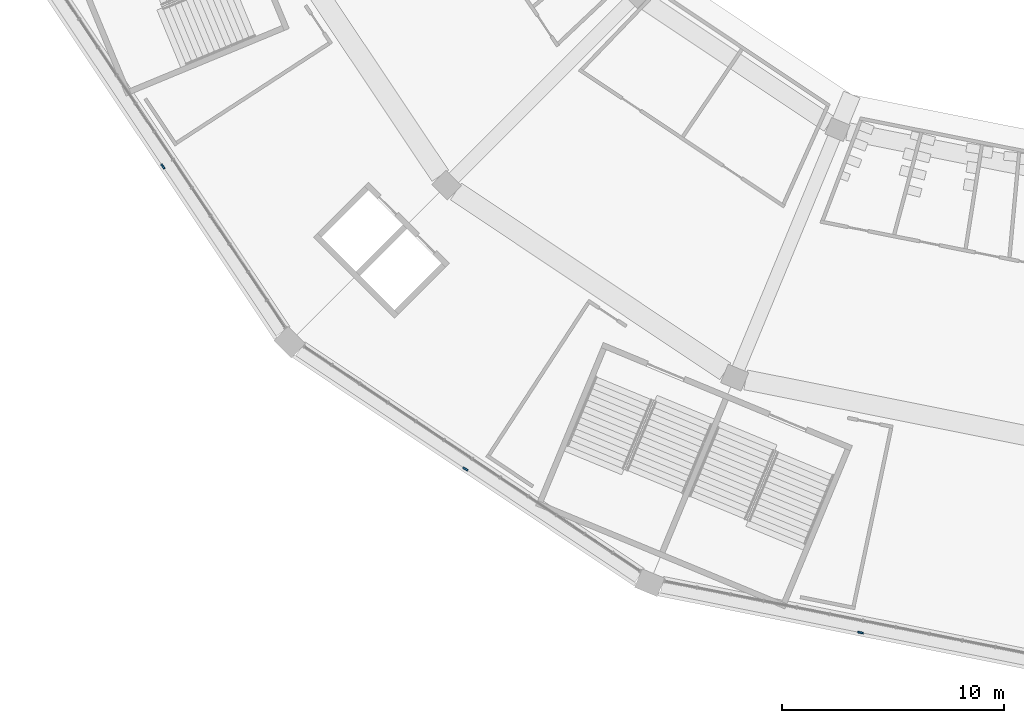
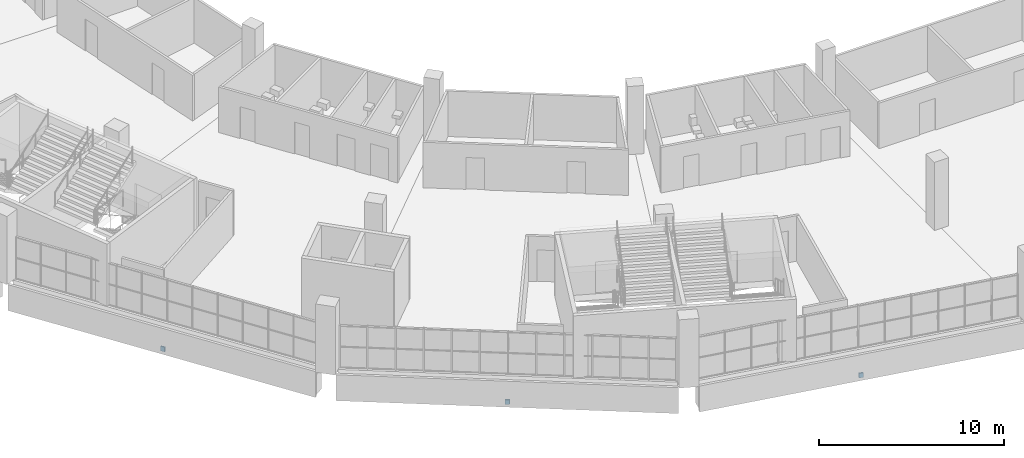
# One storey, part 91 of 199: 3 discrete accessories.
"""IFC4 building model written with IfcOpenShell, lengths in metres."""

import ifcopenshell
import ifcopenshell.guid

model = None  # the IFC model being written
_history = None  # IfcOwnerHistory: only IFC2X3 demands one
_inside = {}  # id of a spatial element -> (the spatial element, [elements in it])
_under = {}  # id of a project, library or spatial element -> (it, [spatial elements below it])
_declared = {}  # id of a project -> (the project, [libraries it declares])
_typed = {}  # id of a type object -> (the type object, [elements of that type])
_made_of = {}  # id of a material, layer set ... -> (it, [elements and type objects made of it])


def new_model(schema):
    """Start an empty IFC model of exactly this schema.

    Asked for "IFC4X3", IfcOpenShell would pick the latest addendum, in which some entities
    have other attributes; the version numbers below select the first issue.
    IFC2X3 requires an IfcOwnerHistory on every rooted entity: one is made here for all.
    """
    global model, _history
    if schema == "IFC4X3":
        model = ifcopenshell.file(schema_version=(4, 3, 0, 0))
    else:
        model = ifcopenshell.file(schema=schema)
    _inside.clear()
    _under.clear()
    _declared.clear()
    _typed.clear()
    _made_of.clear()
    _history = None
    if model.schema == "IFC2X3":
        org = make("IfcOrganization", Name="unknown")
        user = make(
            "IfcPersonAndOrganization",
            ThePerson=make("IfcPerson", FamilyName="unknown"),
            TheOrganization=org,
        )
        app = make(
            "IfcApplication",
            ApplicationDeveloper=org,
            Version="unknown",
            ApplicationFullName="unknown",
            ApplicationIdentifier="unknown",
        )
        _history = make(
            "IfcOwnerHistory",
            OwningUser=user,
            OwningApplication=app,
            ChangeAction="ADDED",
            CreationDate=0,
        )
    return model


def make(cls, **values):
    """One entity of the class cls with the attributes given. An attribute that is None is left unset."""
    return model.create_entity(
        cls, **{name: value for name, value in values.items() if value is not None}
    )


def rooted(cls, **values):
    """An entity with a GlobalId (a new one), such as an element, a storey or a relation."""
    return make(cls, GlobalId=ifcopenshell.guid.new(), OwnerHistory=_history, **values)


def si_unit(unit_type, name, prefix=None):
    """IfcSIUnit, for example si_unit("LENGTHUNIT", "METRE", prefix="MILLI")."""
    return make("IfcSIUnit", UnitType=unit_type, Prefix=prefix, Name=name)


def assignment(units):
    """IfcUnitAssignment: the units of a project."""
    return None if units is None else make("IfcUnitAssignment", Units=units)


def point(xyz):
    """IfcCartesianPoint."""
    return None if xyz is None else make("IfcCartesianPoint", Coordinates=xyz)


def direction(xyz):
    """IfcDirection."""
    return None if xyz is None else make("IfcDirection", DirectionRatios=xyz)


def frame(location, z_axis=None, x_axis=None):
    """IfcAxis2Placement3D, a coordinate frame: its origin and axes. An axis left out is left unset."""
    return make(
        "IfcAxis2Placement3D",
        Location=point(location),
        Axis=direction(z_axis),
        RefDirection=direction(x_axis),
    )


def frame_2d(location, x_axis=None):
    """IfcAxis2Placement2D, a coordinate frame in the plane: its origin and x axis."""
    return make(
        "IfcAxis2Placement2D", Location=point(location), RefDirection=direction(x_axis)
    )


def origin():
    """The frame at (0, 0, 0) with its axes left unset."""
    return frame((0.0, 0.0, 0.0))


def origin_2d():
    """The frame at (0, 0) in the plane with its x axis left unset."""
    return frame_2d((0.0, 0.0))


def place(relative_to, where):
    """IfcLocalPlacement: puts the frame where relative to a parent placement (None: the world)."""
    return make(
        "IfcLocalPlacement", PlacementRelTo=relative_to, RelativePlacement=where
    )


def context(
    kind, dimensions, precision=None, world=None, true_north=None, identifier=None
):
    """IfcGeometricRepresentationContext, for example the 3D "Model" context."""
    return make(
        "IfcGeometricRepresentationContext",
        ContextIdentifier=identifier,
        ContextType=kind,
        CoordinateSpaceDimension=dimensions,
        Precision=precision,
        WorldCoordinateSystem=world,
        TrueNorth=true_north,
    )


def subcontext(parent, identifier, kind, view, scale=None):
    """IfcGeometricRepresentationSubContext, for example "Body" below "Model"."""
    return make(
        "IfcGeometricRepresentationSubContext",
        ContextIdentifier=identifier,
        ContextType=kind,
        ParentContext=parent,
        TargetScale=scale,
        TargetView=view,
    )


def project(units=None, contexts=None):
    """IfcProject with its units and contexts."""
    return rooted(
        "IfcProject",
        Name="project",
        RepresentationContexts=contexts,
        UnitsInContext=assignment(units),
    )


def spatial(cls, under=None, at=None, **own):
    """A site, building, storey or space (cls), placed at a placement, below another one or the project."""
    s = rooted(cls, ObjectPlacement=at, **own)
    if under is not None:
        _under.setdefault(under.id(), (under, []))[1].append(s)
    return s


def profile(cls, at=None, kind="AREA", **sizes):
    """A parametric profile (cls). Its sizes go by their IFC names, for example OverallWidth=200.0."""
    return make(cls, ProfileType=kind, Position=at, **sizes)


def rectangle(**sizes):
    """IfcRectangleProfileDef."""
    return profile("IfcRectangleProfileDef", **sizes)


def extrude(swept, where, along, depth):
    """IfcExtrudedAreaSolid: the profile swept, set in the frame where, extruded along a direction by depth."""
    return make(
        "IfcExtrudedAreaSolid",
        SweptArea=swept,
        Position=where,
        ExtrudedDirection=direction(along),
        Depth=depth,
    )


def shape(context_of_items, identifier, shape_type, items):
    """IfcShapeRepresentation: the items that make up one representation, for example the "Body"."""
    return make(
        "IfcShapeRepresentation",
        ContextOfItems=context_of_items,
        RepresentationIdentifier=identifier,
        RepresentationType=shape_type,
        Items=items,
    )


def material(Name=None, Category=None):
    """IfcMaterial."""
    return make("IfcMaterial", Name=Name, Category=Category)


def layer(
    of_material, thickness, ventilated=None, Name=None, Category=None, Priority=None
):
    """IfcMaterialLayer: one layer of a wall or slab, of a material (None: an air gap)."""
    return make(
        "IfcMaterialLayer",
        Material=of_material,
        LayerThickness=thickness,
        IsVentilated=ventilated,
        Name=Name,
        Category=Category,
        Priority=Priority,
    )


def layer_set(layers, Name=None):
    """IfcMaterialLayerSet."""
    return make("IfcMaterialLayerSet", MaterialLayers=layers, LayerSetName=Name)


def made_of(thing, what):
    """Note that an element or type object is made of a material, layer set ...; save() writes the relation."""
    if what is not None:
        _made_of.setdefault(what.id(), (what, []))[1].append(thing)
    return thing


def type_object(cls, material=None, **own):
    """A type object (cls), such as IfcWallType, which elements share."""
    return made_of(rooted(cls, **own), material)


def element(
    cls,
    number,
    at=None,
    inside=None,
    cuts=None,
    type_object=None,
    material=None,
    context=None,
    identifier="Body",
    shape_type=None,
    held_by="IfcProductDefinitionShape",
    body=None,
    shapes=None,
    **own,
):
    """One element of the class cls, such as IfcWall. Its Tag is "e" and its number.

    at: its placement. inside: the storey or other place that contains it. cuts: it is an
    opening in that element (IfcRelVoidsElement). A single representation is given by context,
    identifier, shape_type and body (its items); several are given by shapes. held_by: the class
    of the entity that holds the representations. save() writes the other relations.
    """
    e = rooted(cls, Tag="e%d" % number, ObjectPlacement=at, **own)
    if body is not None:
        shapes = [shape(context, identifier, shape_type, body)]
    if shapes is not None:
        e.Representation = make(held_by, Representations=shapes)
    if inside is not None:
        _inside.setdefault(inside.id(), (inside, []))[1].append(e)
    if cuts is not None:
        rooted(
            "IfcRelVoidsElement", RelatingBuildingElement=cuts, RelatedOpeningElement=e
        )
    if type_object is not None:
        _typed.setdefault(type_object.id(), (type_object, []))[1].append(e)
    return made_of(e, material)


def aggregate(whole, parts):
    """IfcRelAggregates: a whole, such as a stair, and the parts it consists of."""
    return rooted("IfcRelAggregates", RelatingObject=whole, RelatedObjects=parts)


def save(model, path):
    """Write the relations noted so far, then the file.

    IfcRelAggregates (storeys below a building ...), IfcRelContainedInSpatialStructure (elements
    in a storey), IfcRelDefinesByType, IfcRelAssociatesMaterial and IfcRelDeclares: one each for
    every whole, place, type object, material and project.
    """
    for whole, parts in _under.values():
        aggregate(whole, parts)
    for where, things in _inside.values():
        rooted(
            "IfcRelContainedInSpatialStructure",
            RelatedElements=things,
            RelatingStructure=where,
        )
    for kind, things in _typed.values():
        rooted("IfcRelDefinesByType", RelatedObjects=things, RelatingType=kind)
    for what, things in _made_of.values():
        rooted("IfcRelAssociatesMaterial", RelatedObjects=things, RelatingMaterial=what)
    for by, libraries in _declared.values():
        rooted("IfcRelDeclares", RelatingContext=by, RelatedDefinitions=libraries)
    model.write(path)


model = new_model("IFC4")

# Units and contexts
model_context = context("Model", 3, precision=1e-05, world=origin(), true_north=direction((0.0, 1.0)))
body_context = subcontext(model_context, "Body", "Model", "MODEL_VIEW")
ifc_project = project(units=[si_unit("LENGTHUNIT", "METRE"), si_unit("AREAUNIT", "SQUARE_METRE"), si_unit("VOLUMEUNIT", "CUBIC_METRE"), si_unit("PLANEANGLEUNIT", "RADIAN"), si_unit("MASSUNIT", "GRAM", prefix="KILO")], contexts=[model_context])

# Site, building, storey
site_placement = place(None, origin())
site = spatial("IfcSite", under=ifc_project, at=site_placement, CompositionType="ELEMENT")
building_placement = place(site_placement, origin())
building = spatial("IfcBuilding", under=site, at=building_placement, Name="Ogive Plaza Stadium", CompositionType="ELEMENT")
storey_placement = place(building_placement, frame((0.0, 0.0, 4.5)))
storey = spatial("IfcBuildingStorey", under=building, at=storey_placement, Name="L01", CompositionType="ELEMENT", Elevation=4.5)

# Discrete accessories
ifc_material = material(Name="Steel ASTM A572 Grade 50", Category="steel")
ifc_layer = layer(ifc_material, 0.080078125)
ifc_layer_set = layer_set([ifc_layer], Name="Steel ASTM A572 Grade 50")
discrete_accessory_type = type_object("IfcDiscreteAccessoryType", Name="Spandrel cladding bracket 250x300", PredefinedType="BRACKET", material=ifc_layer_set)
for number, where, z_axis, x_axis, name in (
    (1, (-43.635498046875, -100.940185546875, -1.60986328125), (0.0, 0.0, 1.0), (-0.980785280413, 0.195090321965, 0.0), "SPANDREL BRACKET B17 L01"),
    (2, (-61.439208984375, -93.565673828125, -1.60986328125), (0.0, 0.0, 1.0), (-0.831469612312, 0.555570233005, 0.0), "SPANDREL BRACKET B18 L01"),
    (3, (-75.065673828125, -79.939208984375, -1.60986328125), (0.0, 0.0, 1.0), (-0.555570233005, 0.831469612312, 0.0), "SPANDREL BRACKET B19 L01"),
):
    element("IfcDiscreteAccessory", number, at=place(storey_placement, frame(where, z_axis=z_axis, x_axis=x_axis)), inside=storey, type_object=discrete_accessory_type, Name=name, PredefinedType="BRACKET", context=body_context, shape_type="SweptSolid", body=[
        extrude(rectangle(XDim=0.25, YDim=0.080078125, at=origin_2d()), origin(), (0.0, 0.0, 1.0), 0.300048828125),
    ])

save(model, "model.ifc")
